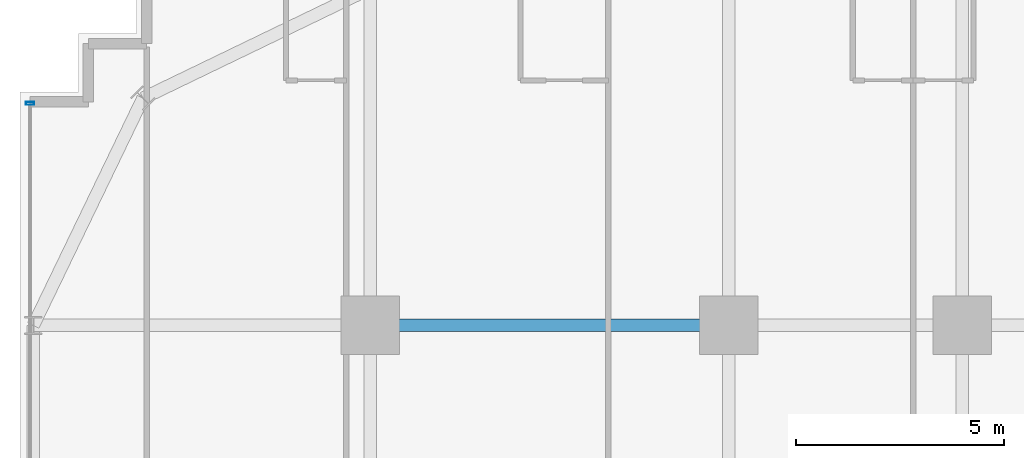
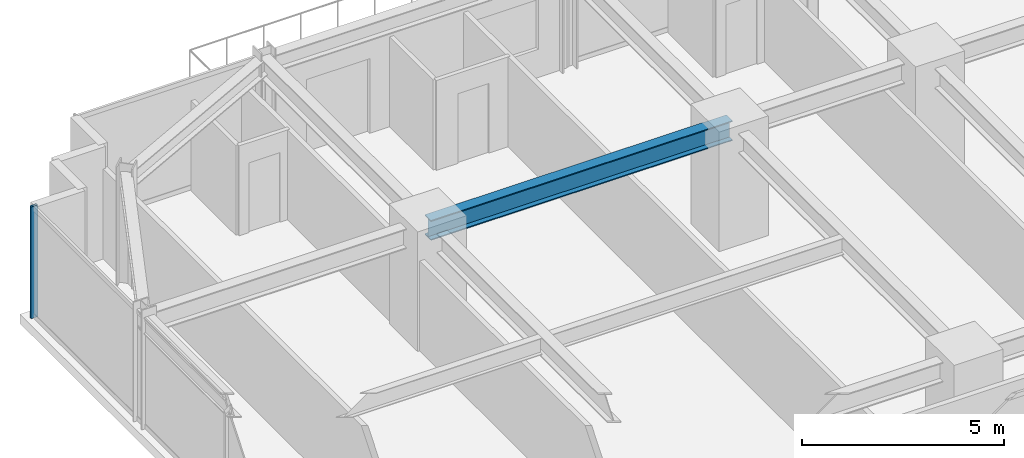
# One storey, part 25 of 41: 1 beam, 1 member, 1 element without a shape of its own.
"""IFC4 building model written with IfcOpenShell, lengths in metres."""

from ifc_helpers import new_model, si_unit, direction, frame, origin, origin_2d, place, context, subcontext, project, spatial, hollow_rectangle, i_section, extrude, source, transform, mapped, material, material_profile, profile_set, type_object, element, aggregate, save


model = new_model("IFC4")

# Units and contexts
model_context = context("Model", 3, precision=1e-05, world=origin(), true_north=direction((0.0, 1.0)))
body_context = subcontext(model_context, "Body", "Model", "MODEL_VIEW")
ifc_project = project(units=[si_unit("LENGTHUNIT", "METRE"), si_unit("AREAUNIT", "SQUARE_METRE"), si_unit("VOLUMEUNIT", "CUBIC_METRE"), si_unit("PLANEANGLEUNIT", "RADIAN"), si_unit("MASSUNIT", "GRAM", prefix="KILO")], contexts=[model_context])

# Site, building, storey
site_placement = place(None, origin())
site = spatial("IfcSite", under=ifc_project, at=site_placement, CompositionType="ELEMENT")
building_placement = place(site_placement, origin())
building = spatial("IfcBuilding", under=site, at=building_placement, Name="Nahalor Promenade Grand Hotel", CompositionType="ELEMENT")
storey_placement = place(building_placement, frame((0.0, 0.0, 54.300048828125)))
storey = spatial("IfcBuildingStorey", under=building, at=storey_placement, Name="L12", CompositionType="ELEMENT", Elevation=54.300048828125)

# Beam
ifc_material_1 = material(Name="Steel S355JR", Category="steel")
ifc_material_profile_1 = material_profile(ifc_material_1, i_section(OverallWidth=0.3, OverallDepth=0.6, WebThickness=0.0155, FlangeThickness=0.03, at=origin_2d()), Name="HEB 600")
ifc_profile_set_1 = profile_set([ifc_material_profile_1], Name="Steel S355JR")
beam_type = type_object("IfcBeamType", Name="Beam-Girder-HEB600", PredefinedType="BEAM", material=ifc_profile_set_1)
shared_shape_1 = source(origin(), body_context, "Body", "SweptSolid", [
    extrude(i_section(OverallWidth=0.3, OverallDepth=0.6, WebThickness=0.0155, FlangeThickness=0.03, at=origin_2d()), origin(), (0.0, 0.0, 1.0), 8.60009765625),
])
beam_placement = place(storey_placement, frame((-17.0, 17.0, 3.070068359375), z_axis=(1.0, 0.0, 0.0), x_axis=(0.0, 1.0, 0.0)))
element("IfcBeam", 1, at=beam_placement, inside=storey, type_object=beam_type, Name="BM-L12-GX-3-1", PredefinedType="BEAM", context=body_context, shape_type="MappedRepresentation", body=[
    mapped(shared_shape_1, transform((0.0, 0.0, 0.0), scale=1.0)),
])

# Curtain wall, member
ifc_material_2 = material(Name="Anodised Bronze Aluminium EN AW-6063 T6", Category="aluminium")
curtain_wall_type = type_object("IfcCurtainWallType", Name="CW3 Elliptical-Void Collar Unitised Curtain Wall", PredefinedType="USERDEFINED", material=ifc_material_2)
curtain_wall_placement = place(storey_placement, origin())
curtain_wall = element("IfcCurtainWall", 2, at=curtain_wall_placement, inside=storey, type_object=curtain_wall_type, Name="L12 Curtain Wall CW-L12-W-2", ObjectType="UNITISED_CURTAIN_WALL", PredefinedType="USERDEFINED")
ifc_material_profile_2 = material_profile(ifc_material_2, hollow_rectangle(XDim=0.07, YDim=0.2, WallThickness=0.005, at=origin_2d()), Name="CWM 70x200x5")
ifc_profile_set_2 = profile_set([ifc_material_profile_2], Name="Anodised Bronze Aluminium EN AW-6063 T6")
member_type = type_object("IfcMemberType", Name="CWM3 Void Collar Mullion 70x200", PredefinedType="MULLION", material=ifc_profile_set_2)
shared_shape_2 = source(origin(), body_context, "Body", "SweptSolid", [
    extrude(hollow_rectangle(XDim=0.07, YDim=0.2, WallThickness=0.005, at=origin_2d()), origin(), (0.0, 0.0, 1.0), 3.369873046875),
])
member_placement = place(storey_placement, frame((-25.159912109375, 22.324951171875, 0.0), z_axis=(0.0, 0.0, 1.0), x_axis=(0.0, 1.0, 0.0)))
member = element("IfcMember", 3, at=member_placement, type_object=member_type, Name="CW-L12-W-2 Mullion 2", PredefinedType="MULLION", context=body_context, shape_type="MappedRepresentation", body=[
    mapped(shared_shape_2, transform((0.0, 0.0, 0.0), scale=1.0)),
])
aggregate(curtain_wall, [member])

save(model, "model.ifc")
